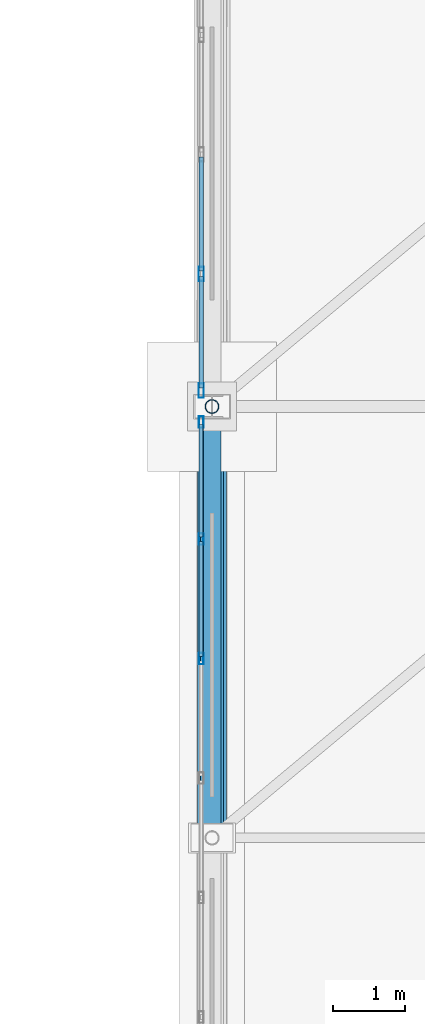
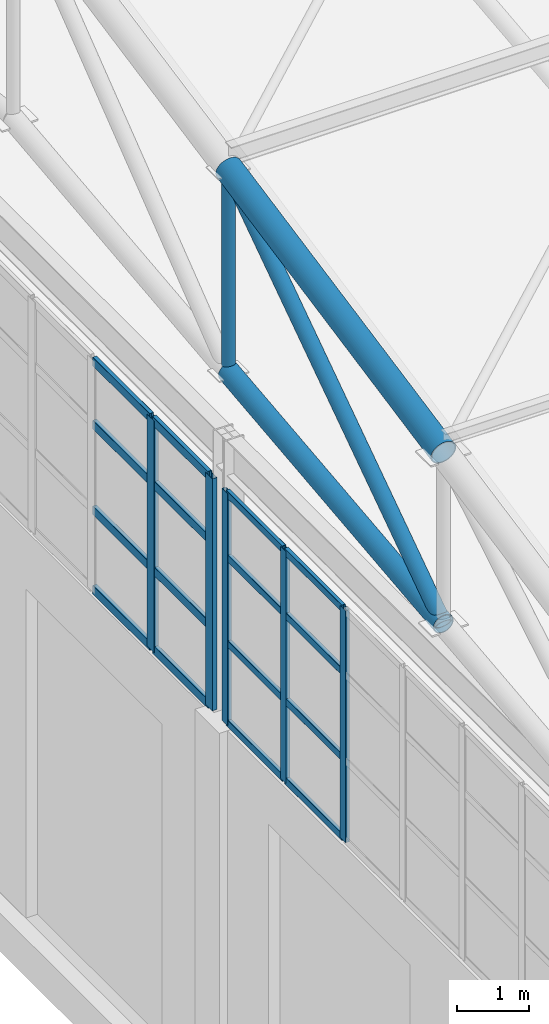
# One storey, part 117 of 293: 25 members, 2 elements without a shape of their own.
"""IFC4 building model written with IfcOpenShell, lengths in metres."""

from ifc_helpers import new_model, si_unit, direction, frame, origin, origin_2d, place, context, subcontext, project, spatial, hollow_rectangle, hollow_circle, extrude, material, layer, layer_set, material_profile, profile_set, type_object, element, aggregate, save


model = new_model("IFC4")

# Units and contexts
model_context = context("Model", 3, precision=1e-05, world=origin(), true_north=direction((0.0, 1.0)))
body_context = subcontext(model_context, "Body", "Model", "MODEL_VIEW")
ifc_project = project(units=[si_unit("LENGTHUNIT", "METRE"), si_unit("AREAUNIT", "SQUARE_METRE"), si_unit("VOLUMEUNIT", "CUBIC_METRE"), si_unit("PLANEANGLEUNIT", "RADIAN"), si_unit("MASSUNIT", "GRAM", prefix="KILO")], contexts=[model_context])

# Site, building, storey
site_placement = place(None, origin())
site = spatial("IfcSite", under=ifc_project, at=site_placement, CompositionType="ELEMENT")
building_placement = place(site_placement, origin())
building = spatial("IfcBuilding", under=site, at=building_placement, Name="Kemerveld Promenade Tramway Depot", CompositionType="ELEMENT")
storey_placement = place(building_placement, origin())
storey = spatial("IfcBuildingStorey", under=building, at=storey_placement, Name="L00", CompositionType="ELEMENT", Elevation=0.0)

# Curtain wall, members
ifc_material_1 = material(Name="Bronze anodised aluminium and solar glass", Category="aluminium")
ifc_layer_1 = layer(ifc_material_1, 0.159912109375)
ifc_layer_set_1 = layer_set([ifc_layer_1], Name="CW-SYS-09")
curtain_wall_type_1 = type_object("IfcCurtainWallType", Name="CW-SYS-09", PredefinedType="USERDEFINED", material=ifc_layer_set_1)
curtain_wall_1_placement = place(storey_placement, origin())
curtain_wall_1 = element("IfcCurtainWall", 1, at=curtain_wall_1_placement, inside=storey, type_object=curtain_wall_type_1, Name="CW-V1-W-02", ObjectType="GLAZED_CURTAIN_WALL", PredefinedType="USERDEFINED")
ifc_material_2 = material(Name="Bronze anodised aluminium", Category="aluminium")
ifc_material_profile_1 = material_profile(ifc_material_2, hollow_rectangle(XDim=0.06494140625, YDim=0.159912109375, WallThickness=0.00390625, InnerFilletRadius=0.001953125, OuterFilletRadius=0.00390625, at=origin_2d()), Name="CW-MUL-160x65")
ifc_profile_set_1 = profile_set([ifc_material_profile_1], Name="Bronze anodised aluminium")
member_type_1 = type_object("IfcMemberType", Name="CW-MUL-A", PredefinedType="MULLION", material=ifc_profile_set_1)
member_1_placement = place(storey_placement, frame((35.85009765625, 104.49267578125, 6.64990234375), z_axis=(0.0, 0.0, 1.0), x_axis=(-1.0, 0.0, 0.0)))
member_1 = element("IfcMember", 2, at=member_1_placement, type_object=member_type_1, Name="CW09 mullion 6", PredefinedType="MULLION", context=body_context, shape_type="SweptSolid", body=[
    extrude(hollow_rectangle(XDim=0.06494140625, YDim=0.159912109375, WallThickness=0.00390625, InnerFilletRadius=0.001953125, OuterFilletRadius=0.00390625, at=origin_2d()), origin(), (0.0, 0.0, 1.0), 3.9501953125),
])
member_2_placement = place(storey_placement, frame((35.85009765625, 106.154541015625, 6.64990234375), z_axis=(0.0, 0.0, 1.0), x_axis=(-1.0, 0.0, 0.0)))
member_2 = element("IfcMember", 3, at=member_2_placement, type_object=member_type_1, Name="CW09 mullion 7", PredefinedType="MULLION", context=body_context, shape_type="SweptSolid", body=[
    extrude(hollow_rectangle(XDim=0.06494140625, YDim=0.159912109375, WallThickness=0.00390625, InnerFilletRadius=0.001953125, OuterFilletRadius=0.00390625, at=origin_2d()), origin(), (0.0, 0.0, 1.0), 3.9501953125),
])
member_3_placement = place(storey_placement, frame((35.85009765625, 107.783935546875, 6.64990234375), z_axis=(0.0, 0.0, 1.0), x_axis=(-1.0, 0.0, 0.0)))
member_3 = element("IfcMember", 4, at=member_3_placement, type_object=member_type_1, Name="CW09 mullion 8", PredefinedType="MULLION", context=body_context, shape_type="SweptSolid", body=[
    extrude(hollow_rectangle(XDim=0.06494140625, YDim=0.159912109375, WallThickness=0.00390625, InnerFilletRadius=0.001953125, OuterFilletRadius=0.00390625, at=origin_2d()), origin(), (0.0, 0.0, 1.0), 3.9501953125),
])

ifc_layer_2 = layer(ifc_material_1, 0.199951171875)
ifc_layer_set_2 = layer_set([ifc_layer_2], Name="CW-SYS-10")
curtain_wall_type_2 = type_object("IfcCurtainWallType", Name="CW-SYS-10", PredefinedType="USERDEFINED", material=ifc_layer_set_2)
curtain_wall_2_placement = place(storey_placement, origin())
curtain_wall_2 = element("IfcCurtainWall", 5, at=curtain_wall_2_placement, inside=storey, type_object=curtain_wall_type_2, Name="CW-V1-W-03", ObjectType="GLAZED_CURTAIN_WALL", PredefinedType="USERDEFINED")
ifc_material_profile_2 = material_profile(ifc_material_2, hollow_rectangle(XDim=0.074951171875, YDim=0.199951171875, WallThickness=0.0048828125, InnerFilletRadius=0.001953125, OuterFilletRadius=0.0048828125, at=origin_2d()), Name="CW-MUL-200x75")
ifc_profile_set_2 = profile_set([ifc_material_profile_2], Name="Bronze anodised aluminium")
member_type_2 = type_object("IfcMemberType", Name="CW-MUL-B", PredefinedType="MULLION", material=ifc_profile_set_2)
member_4_placement = place(storey_placement, frame((35.85009765625, 108.220947265625, 6.64990234375), z_axis=(0.0, 0.0, 1.0), x_axis=(-1.0, 0.0, 0.0)))
member_4 = element("IfcMember", 6, at=member_4_placement, type_object=member_type_2, Name="CW10 mullion 1", PredefinedType="MULLION", context=body_context, shape_type="SweptSolid", body=[
    extrude(hollow_rectangle(XDim=0.074951171875, YDim=0.199951171875, WallThickness=0.0048828125, InnerFilletRadius=0.001953125, OuterFilletRadius=0.0048828125, at=origin_2d()), origin(), (0.0, 0.0, 1.0), 3.9501953125),
])
member_5_placement = place(storey_placement, frame((35.85009765625, 109.845458984375, 6.64990234375), z_axis=(0.0, 0.0, 1.0), x_axis=(-1.0, 0.0, 0.0)))
member_5 = element("IfcMember", 7, at=member_5_placement, type_object=member_type_2, Name="CW10 mullion 2", PredefinedType="MULLION", context=body_context, shape_type="SweptSolid", body=[
    extrude(hollow_rectangle(XDim=0.074951171875, YDim=0.199951171875, WallThickness=0.0048828125, InnerFilletRadius=0.001953125, OuterFilletRadius=0.0048828125, at=origin_2d()), origin(), (0.0, 0.0, 1.0), 3.9501953125),
])

# Member
ifc_material_profile_3 = material_profile(ifc_material_2, hollow_rectangle(XDim=0.06005859375, YDim=0.1201171875, WallThickness=0.00390625, InnerFilletRadius=0.001953125, OuterFilletRadius=0.00390625, at=origin_2d()), Name="CW-TRN-120x60")
ifc_profile_set_3 = profile_set([ifc_material_profile_3], Name="Bronze anodised aluminium")
member_type_3 = type_object("IfcMemberType", Name="CW-TRN-A", PredefinedType="USERDEFINED", material=ifc_profile_set_3)
member_6_placement = place(storey_placement, frame((35.85009765625, 104.525390625, 6.679931640625), z_axis=(0.0, 1.0, 0.0), x_axis=(-1.0, 0.0, 0.0)))
member_6 = element("IfcMember", 8, at=member_6_placement, type_object=member_type_3, Name="CW09 transom 6.1", ObjectType="TRANSOM", PredefinedType="USERDEFINED", context=body_context, shape_type="SweptSolid", body=[
    extrude(hollow_rectangle(XDim=0.06005859375, YDim=0.1201171875, WallThickness=0.00390625, InnerFilletRadius=0.001953125, OuterFilletRadius=0.00390625, at=origin_2d()), origin(), (0.0, 0.0, 1.0), 1.5966796875),
])

member_7_placement = place(storey_placement, frame((35.85009765625, 104.525390625, 8.032958984375), z_axis=(0.0, 1.0, 0.0), x_axis=(-1.0, 0.0, 0.0)))
member_7 = element("IfcMember", 9, at=member_7_placement, type_object=member_type_3, Name="CW09 transom 6.2", ObjectType="TRANSOM", PredefinedType="USERDEFINED", context=body_context, shape_type="SweptSolid", body=[
    extrude(hollow_rectangle(XDim=0.06005859375, YDim=0.1201171875, WallThickness=0.00390625, InnerFilletRadius=0.001953125, OuterFilletRadius=0.00390625, at=origin_2d()), origin(), (0.0, 0.0, 1.0), 1.5966796875),
])

member_8_placement = place(storey_placement, frame((35.85009765625, 104.525390625, 9.493896484375), z_axis=(0.0, 1.0, 0.0), x_axis=(-1.0, 0.0, 0.0)))
member_8 = element("IfcMember", 10, at=member_8_placement, type_object=member_type_3, Name="CW09 transom 6.3", ObjectType="TRANSOM", PredefinedType="USERDEFINED", context=body_context, shape_type="SweptSolid", body=[
    extrude(hollow_rectangle(XDim=0.06005859375, YDim=0.1201171875, WallThickness=0.00390625, InnerFilletRadius=0.001953125, OuterFilletRadius=0.00390625, at=origin_2d()), origin(), (0.0, 0.0, 1.0), 1.5966796875),
])

member_9_placement = place(storey_placement, frame((35.85009765625, 104.525390625, 10.570068359375), z_axis=(0.0, 1.0, 0.0), x_axis=(-1.0, 0.0, 0.0)))
member_9 = element("IfcMember", 11, at=member_9_placement, type_object=member_type_3, Name="CW09 transom 6.4", ObjectType="TRANSOM", PredefinedType="USERDEFINED", context=body_context, shape_type="SweptSolid", body=[
    extrude(hollow_rectangle(XDim=0.06005859375, YDim=0.1201171875, WallThickness=0.00390625, InnerFilletRadius=0.001953125, OuterFilletRadius=0.00390625, at=origin_2d()), origin(), (0.0, 0.0, 1.0), 1.5966796875),
])

member_10_placement = place(storey_placement, frame((35.85009765625, 106.187255859375, 6.679931640625), z_axis=(0.0, 1.0, 0.0), x_axis=(-1.0, 0.0, 0.0)))
member_10 = element("IfcMember", 12, at=member_10_placement, type_object=member_type_3, Name="CW09 transom 7.1", ObjectType="TRANSOM", PredefinedType="USERDEFINED", context=body_context, shape_type="SweptSolid", body=[
    extrude(hollow_rectangle(XDim=0.06005859375, YDim=0.1201171875, WallThickness=0.00390625, InnerFilletRadius=0.001953125, OuterFilletRadius=0.00390625, at=origin_2d()), origin(), (0.0, 0.0, 1.0), 1.564208984375),
])

member_11_placement = place(storey_placement, frame((35.85009765625, 106.187255859375, 8.032958984375), z_axis=(0.0, 1.0, 0.0), x_axis=(-1.0, 0.0, 0.0)))
member_11 = element("IfcMember", 13, at=member_11_placement, type_object=member_type_3, Name="CW09 transom 7.2", ObjectType="TRANSOM", PredefinedType="USERDEFINED", context=body_context, shape_type="SweptSolid", body=[
    extrude(hollow_rectangle(XDim=0.06005859375, YDim=0.1201171875, WallThickness=0.00390625, InnerFilletRadius=0.001953125, OuterFilletRadius=0.00390625, at=origin_2d()), origin(), (0.0, 0.0, 1.0), 1.564208984375),
])

member_12_placement = place(storey_placement, frame((35.85009765625, 106.187255859375, 9.493896484375), z_axis=(0.0, 1.0, 0.0), x_axis=(-1.0, 0.0, 0.0)))
member_12 = element("IfcMember", 14, at=member_12_placement, type_object=member_type_3, Name="CW09 transom 7.3", ObjectType="TRANSOM", PredefinedType="USERDEFINED", context=body_context, shape_type="SweptSolid", body=[
    extrude(hollow_rectangle(XDim=0.06005859375, YDim=0.1201171875, WallThickness=0.00390625, InnerFilletRadius=0.001953125, OuterFilletRadius=0.00390625, at=origin_2d()), origin(), (0.0, 0.0, 1.0), 1.564208984375),
])

member_13_placement = place(storey_placement, frame((35.85009765625, 106.187255859375, 10.570068359375), z_axis=(0.0, 1.0, 0.0), x_axis=(-1.0, 0.0, 0.0)))
member_13 = element("IfcMember", 15, at=member_13_placement, type_object=member_type_3, Name="CW09 transom 7.4", ObjectType="TRANSOM", PredefinedType="USERDEFINED", context=body_context, shape_type="SweptSolid", body=[
    extrude(hollow_rectangle(XDim=0.06005859375, YDim=0.1201171875, WallThickness=0.00390625, InnerFilletRadius=0.001953125, OuterFilletRadius=0.00390625, at=origin_2d()), origin(), (0.0, 0.0, 1.0), 1.564208984375),
])

aggregate(curtain_wall_1, [member_1, member_2, member_3, member_6, member_7, member_8, member_9, member_10, member_11, member_12, member_13])

ifc_material_profile_4 = material_profile(ifc_material_2, hollow_rectangle(XDim=0.06494140625, YDim=0.14990234375, WallThickness=0.00439453125, InnerFilletRadius=0.001953125, OuterFilletRadius=0.00439453125, at=origin_2d()), Name="CW-TRN-150x65")
ifc_profile_set_4 = profile_set([ifc_material_profile_4], Name="Bronze anodised aluminium")
member_type_4 = type_object("IfcMemberType", Name="CW-TRN-B", PredefinedType="USERDEFINED", material=ifc_profile_set_4)
member_14_placement = place(storey_placement, frame((35.85009765625, 108.258544921875, 6.6826171875), z_axis=(0.0, 1.0, 0.0), x_axis=(-1.0, 0.0, 0.0)))
member_14 = element("IfcMember", 16, at=member_14_placement, type_object=member_type_4, Name="CW10 transom 1.1", ObjectType="TRANSOM", PredefinedType="USERDEFINED", context=body_context, shape_type="SweptSolid", body=[
    extrude(hollow_rectangle(XDim=0.06494140625, YDim=0.14990234375, WallThickness=0.00439453125, InnerFilletRadius=0.001953125, OuterFilletRadius=0.00439453125, at=origin_2d()), origin(), (0.0, 0.0, 1.0), 1.54931640625),
])

member_15_placement = place(storey_placement, frame((35.85009765625, 108.258544921875, 8.032958984375), z_axis=(0.0, 1.0, 0.0), x_axis=(-1.0, 0.0, 0.0)))
member_15 = element("IfcMember", 17, at=member_15_placement, type_object=member_type_4, Name="CW10 transom 1.2", ObjectType="TRANSOM", PredefinedType="USERDEFINED", context=body_context, shape_type="SweptSolid", body=[
    extrude(hollow_rectangle(XDim=0.06494140625, YDim=0.14990234375, WallThickness=0.00439453125, InnerFilletRadius=0.001953125, OuterFilletRadius=0.00439453125, at=origin_2d()), origin(), (0.0, 0.0, 1.0), 1.54931640625),
])

member_16_placement = place(storey_placement, frame((35.85009765625, 108.258544921875, 9.493896484375), z_axis=(0.0, 1.0, 0.0), x_axis=(-1.0, 0.0, 0.0)))
member_16 = element("IfcMember", 18, at=member_16_placement, type_object=member_type_4, Name="CW10 transom 1.3", ObjectType="TRANSOM", PredefinedType="USERDEFINED", context=body_context, shape_type="SweptSolid", body=[
    extrude(hollow_rectangle(XDim=0.06494140625, YDim=0.14990234375, WallThickness=0.00439453125, InnerFilletRadius=0.001953125, OuterFilletRadius=0.00439453125, at=origin_2d()), origin(), (0.0, 0.0, 1.0), 1.54931640625),
])

member_17_placement = place(storey_placement, frame((35.85009765625, 108.258544921875, 10.5673828125), z_axis=(0.0, 1.0, 0.0), x_axis=(-1.0, 0.0, 0.0)))
member_17 = element("IfcMember", 19, at=member_17_placement, type_object=member_type_4, Name="CW10 transom 1.4", ObjectType="TRANSOM", PredefinedType="USERDEFINED", context=body_context, shape_type="SweptSolid", body=[
    extrude(hollow_rectangle(XDim=0.06494140625, YDim=0.14990234375, WallThickness=0.00439453125, InnerFilletRadius=0.001953125, OuterFilletRadius=0.00439453125, at=origin_2d()), origin(), (0.0, 0.0, 1.0), 1.54931640625),
])

member_18_placement = place(storey_placement, frame((35.85009765625, 109.8828125, 6.6826171875), z_axis=(0.0, 1.0, 0.0), x_axis=(-1.0, 0.0, 0.0)))
member_18 = element("IfcMember", 20, at=member_18_placement, type_object=member_type_4, Name="CW10 transom 2.1", ObjectType="TRANSOM", PredefinedType="USERDEFINED", context=body_context, shape_type="SweptSolid", body=[
    extrude(hollow_rectangle(XDim=0.06494140625, YDim=0.14990234375, WallThickness=0.00439453125, InnerFilletRadius=0.001953125, OuterFilletRadius=0.00439453125, at=origin_2d()), origin(), (0.0, 0.0, 1.0), 1.5869140625),
])

member_19_placement = place(storey_placement, frame((35.85009765625, 109.8828125, 8.032958984375), z_axis=(0.0, 1.0, 0.0), x_axis=(-1.0, 0.0, 0.0)))
member_19 = element("IfcMember", 21, at=member_19_placement, type_object=member_type_4, Name="CW10 transom 2.2", ObjectType="TRANSOM", PredefinedType="USERDEFINED", context=body_context, shape_type="SweptSolid", body=[
    extrude(hollow_rectangle(XDim=0.06494140625, YDim=0.14990234375, WallThickness=0.00439453125, InnerFilletRadius=0.001953125, OuterFilletRadius=0.00439453125, at=origin_2d()), origin(), (0.0, 0.0, 1.0), 1.5869140625),
])

member_20_placement = place(storey_placement, frame((35.85009765625, 109.8828125, 9.493896484375), z_axis=(0.0, 1.0, 0.0), x_axis=(-1.0, 0.0, 0.0)))
member_20 = element("IfcMember", 22, at=member_20_placement, type_object=member_type_4, Name="CW10 transom 2.3", ObjectType="TRANSOM", PredefinedType="USERDEFINED", context=body_context, shape_type="SweptSolid", body=[
    extrude(hollow_rectangle(XDim=0.06494140625, YDim=0.14990234375, WallThickness=0.00439453125, InnerFilletRadius=0.001953125, OuterFilletRadius=0.00439453125, at=origin_2d()), origin(), (0.0, 0.0, 1.0), 1.5869140625),
])

member_21_placement = place(storey_placement, frame((35.85009765625, 109.8828125, 10.5673828125), z_axis=(0.0, 1.0, 0.0), x_axis=(-1.0, 0.0, 0.0)))
member_21 = element("IfcMember", 23, at=member_21_placement, type_object=member_type_4, Name="CW10 transom 2.4", ObjectType="TRANSOM", PredefinedType="USERDEFINED", context=body_context, shape_type="SweptSolid", body=[
    extrude(hollow_rectangle(XDim=0.06494140625, YDim=0.14990234375, WallThickness=0.00439453125, InnerFilletRadius=0.001953125, OuterFilletRadius=0.00439453125, at=origin_2d()), origin(), (0.0, 0.0, 1.0), 1.5869140625),
])

aggregate(curtain_wall_2, [member_4, member_5, member_14, member_15, member_16, member_17, member_18, member_19, member_20, member_21])

# Members
ifc_material_3 = material(Name="Steel S355", Category="steel")
ifc_material_profile_5 = material_profile(ifc_material_3, hollow_circle(Radius=0.122314453125, WallThickness=0.010009765625, at=origin_2d()), Name="244.5x10.0 CHS")
ifc_profile_set_5 = profile_set([ifc_material_profile_5], Name="Steel S355")
member_type_5 = type_object("IfcMemberType", Name="MB-TB1", PredefinedType="BRACE", material=ifc_profile_set_5)
member_22_placement = place(storey_placement, frame((36.0, 102.0, 11.780029296875), z_axis=(0.0, 0.824370638462, 0.566050395673), x_axis=(-1.0, 0.0, 0.0)))
element("IfcMember", 24, at=member_22_placement, inside=storey, type_object=member_type_5, Name="TR-06-DG-04", PredefinedType="BRACE", context=body_context, shape_type="SweptSolid", body=[
    extrude(hollow_circle(Radius=0.122314453125, WallThickness=0.010009765625, at=origin_2d()), origin(), (0.0, 0.0, 1.0), 7.2783203125),
])
ifc_material_profile_6 = material_profile(ifc_material_3, hollow_circle(Radius=0.203125, WallThickness=0.01611328125, at=origin_2d()), Name="406.4x16.0 CHS")
ifc_profile_set_6 = profile_set([ifc_material_profile_6], Name="Steel S355")
member_type_6 = type_object("IfcMemberType", Name="MB-TC1", PredefinedType="CHORD", material=ifc_profile_set_6)
member_23_placement = place(storey_placement, frame((36.0, 102.0, 14.699951171875), z_axis=(0.0, 0.980582210276, 0.196108462057), x_axis=(-1.0, 0.0, 0.0)))
element("IfcMember", 25, at=member_23_placement, inside=storey, type_object=member_type_6, Name="TR-06-TC-04", PredefinedType="CHORD", context=body_context, shape_type="SweptSolid", body=[
    extrude(hollow_circle(Radius=0.203125, WallThickness=0.01611328125, at=origin_2d()), origin(), (0.0, 0.0, 1.0), 6.118896484375),
])
ifc_material_profile_7 = material_profile(ifc_material_3, hollow_circle(Radius=0.161865234375, WallThickness=0.012451171875, at=origin_2d()), Name="323.9x12.5 CHS")
ifc_profile_set_7 = profile_set([ifc_material_profile_7], Name="Steel S355")
member_type_7 = type_object("IfcMemberType", Name="MB-TC2", PredefinedType="CHORD", material=ifc_profile_set_7)
member_24_placement = place(storey_placement, frame((36.0, 102.0, 11.780029296875), z_axis=(0.0, 0.994005938353, 0.109326092585), x_axis=(-1.0, 0.0, 0.0)))
element("IfcMember", 26, at=member_24_placement, inside=storey, type_object=member_type_7, Name="TR-06-BC-04", PredefinedType="CHORD", context=body_context, shape_type="SweptSolid", body=[
    extrude(hollow_circle(Radius=0.161865234375, WallThickness=0.012451171875, at=origin_2d()), origin(), (0.0, 0.0, 1.0), 6.0361328125),
])
ifc_material_profile_8 = material_profile(ifc_material_3, hollow_circle(Radius=0.096923828125, WallThickness=0.008056640625, at=origin_2d()), Name="193.7x8.0 CHS")
ifc_profile_set_8 = profile_set([ifc_material_profile_8], Name="Steel S355")
member_type_8 = type_object("IfcMemberType", Name="MB-TP1", PredefinedType="POST", material=ifc_profile_set_8)
member_25_placement = place(storey_placement, frame((36.0, 108.0, 12.43994140625), z_axis=(0.0, 0.0, 1.0), x_axis=(1.0, 0.0, 0.0)))
element("IfcMember", 27, at=member_25_placement, inside=storey, type_object=member_type_8, Name="TR-06-VT-04", PredefinedType="POST", context=body_context, shape_type="SweptSolid", body=[
    extrude(hollow_circle(Radius=0.096923828125, WallThickness=0.008056640625, at=origin_2d()), origin(), (0.0, 0.0, 1.0), 3.4599609375),
])

save(model, "model.ifc")
